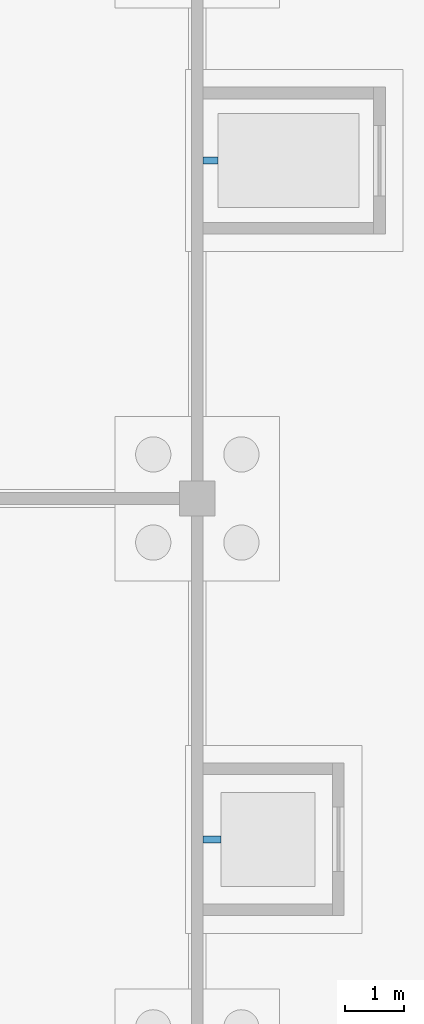
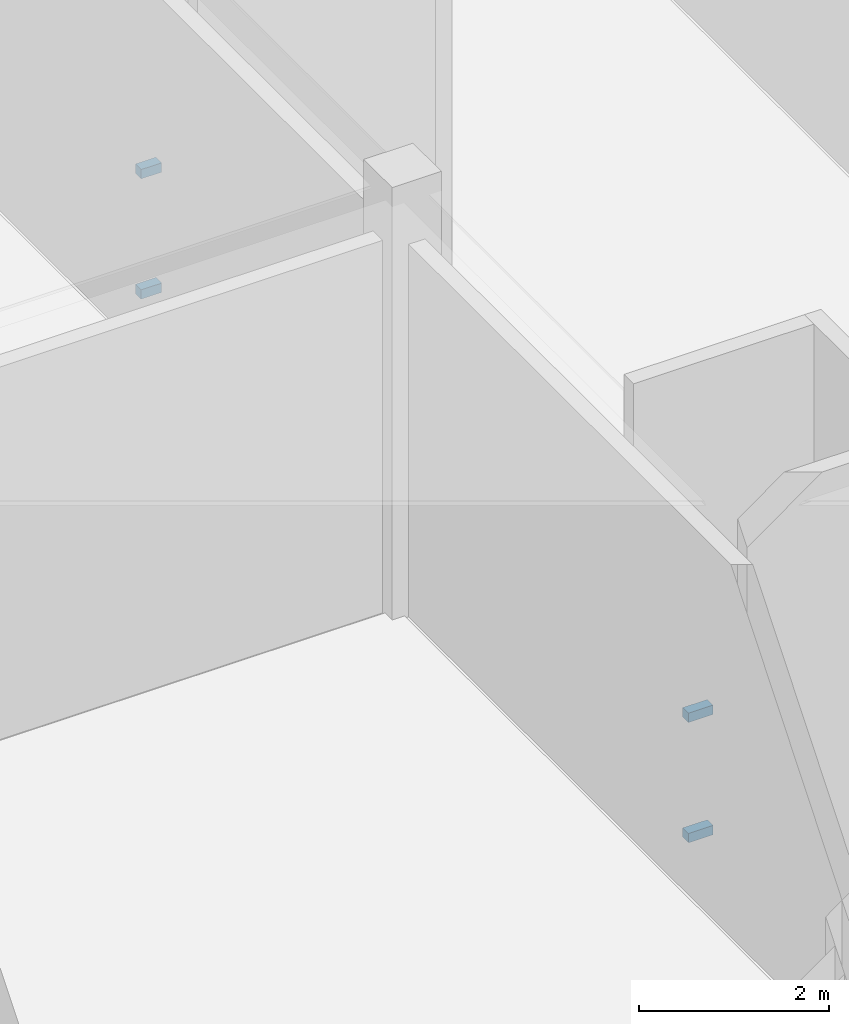
# One storey, part 32 of 44: 4 discrete accessories.
"""IFC4 building model written with IfcOpenShell, lengths in metres."""

from ifc_helpers import new_model, si_unit, direction, frame, origin, origin_2d, place, context, subcontext, project, spatial, rectangle, extrude, element, save


model = new_model("IFC4")

# Units and contexts
model_context = context("Model", 3, precision=1e-05, world=origin(), true_north=direction((0.0, 1.0)))
body_context = subcontext(model_context, "Body", "Model", "MODEL_VIEW")
ifc_project = project(units=[si_unit("LENGTHUNIT", "METRE"), si_unit("AREAUNIT", "SQUARE_METRE"), si_unit("VOLUMEUNIT", "CUBIC_METRE"), si_unit("PLANEANGLEUNIT", "RADIAN"), si_unit("MASSUNIT", "GRAM", prefix="KILO")], contexts=[model_context])

# Site, building, storey
site_placement = place(None, origin())
site = spatial("IfcSite", under=ifc_project, at=site_placement, CompositionType="ELEMENT")
building_placement = place(site_placement, origin())
building = spatial("IfcBuilding", under=site, at=building_placement, Name="Frailejon Research Tower", CompositionType="ELEMENT")
storey_placement = place(building_placement, origin())
storey = spatial("IfcBuildingStorey", under=building, at=storey_placement, Name="L00", CompositionType="ELEMENT", Elevation=0.0)

# Discrete accessories
for number, where, z_axis, x_axis, name in (
    (1, (69.050048828125, -5.800048828125, 0.389892578125), (0.0, 0.0, 1.0), (1.0, 0.0, 0.0), "HC lift P guide bracket"),
    (2, (69.050048828125, -5.800048828125, 1.93994140625), (0.0, 0.0, 1.0), (1.0, 0.0, 0.0), "HC lift P guide bracket"),
):
    element("IfcDiscreteAccessory", number, at=place(storey_placement, frame(where, z_axis=z_axis, x_axis=x_axis)), inside=storey, Name=name, PredefinedType="BRACKET", context=body_context, shape_type="SweptSolid", body=[
        extrude(rectangle(XDim=0.300048828125, YDim=0.1201171875, at=origin_2d()), origin(), (0.0, 0.0, 1.0), 0.1201171875),
    ])
for number, where, z_axis, x_axis, name in (
    (3, (69.02490234375, 5.75, 0.389892578125), (0.0, 0.0, 1.0), (1.0, 0.0, 0.0), "HC lift B guide bracket"),
    (4, (69.02490234375, 5.75, 1.93994140625), (0.0, 0.0, 1.0), (1.0, 0.0, 0.0), "HC lift B guide bracket"),
):
    element("IfcDiscreteAccessory", number, at=place(storey_placement, frame(where, z_axis=z_axis, x_axis=x_axis)), inside=storey, Name=name, PredefinedType="BRACKET", context=body_context, shape_type="SweptSolid", body=[
        extrude(rectangle(XDim=0.25, YDim=0.1201171875, at=origin_2d()), origin(), (0.0, 0.0, 1.0), 0.1201171875),
    ])

save(model, "model.ifc")
